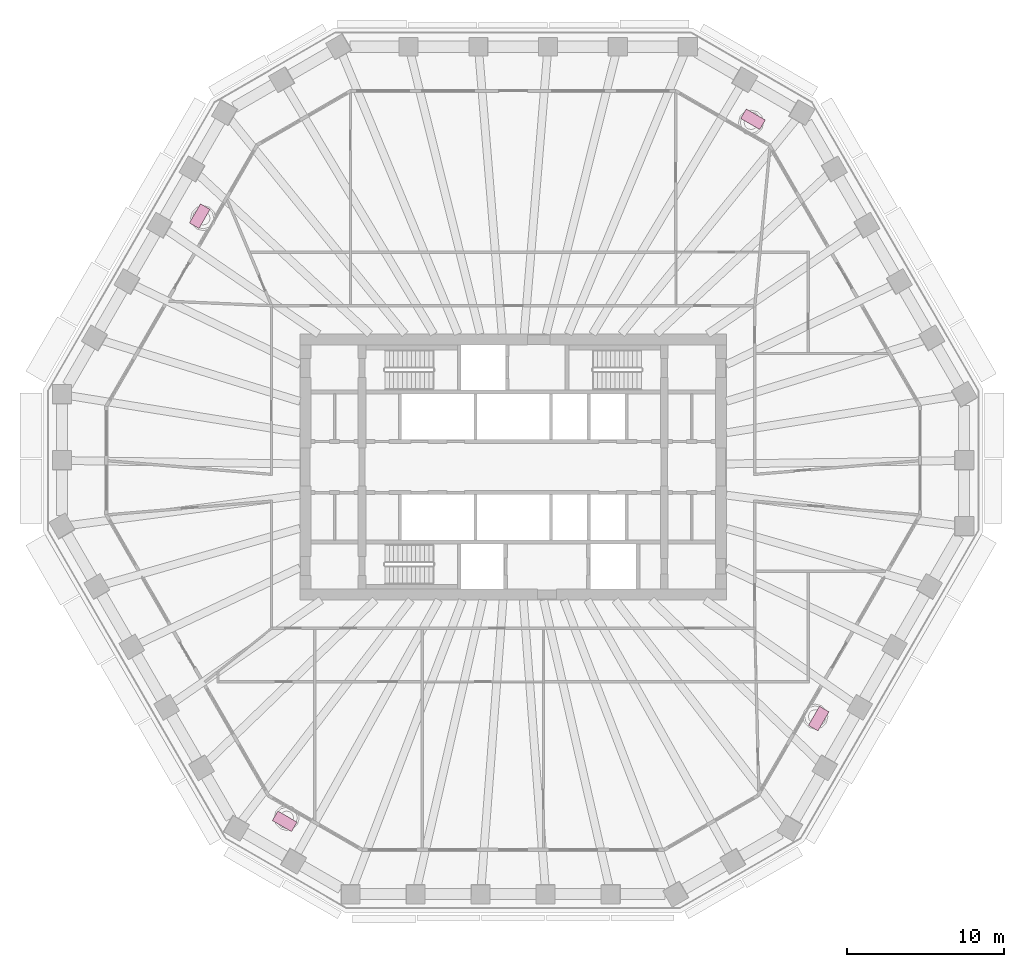
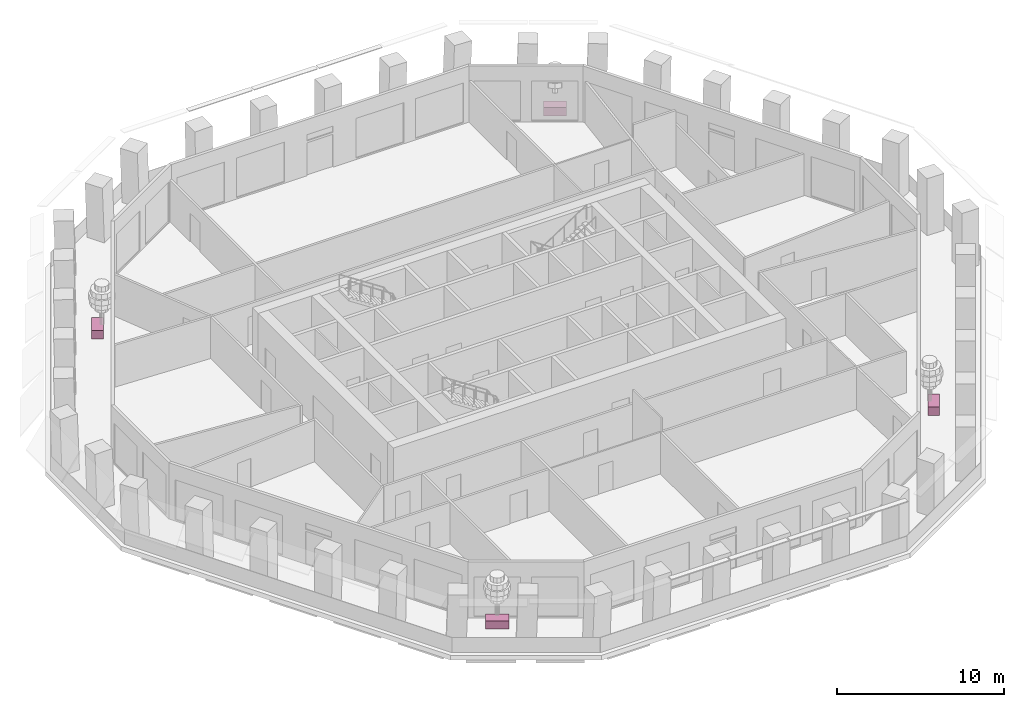
# One storey, part 11 of 12: 4 furniture elements.
"""IFC4 building model written with IfcOpenShell, lengths in metres."""

from ifc_helpers import new_model, si_unit, direction, frame, origin, origin_2d, place, context, subcontext, project, spatial, rectangle, extrude, material, type_object, element, save


model = new_model("IFC4")

# Units and contexts
model_context = context("Model", 3, precision=1e-05, world=origin(), true_north=direction((0.0, 1.0)))
body_context = subcontext(model_context, "Body", "Model", "MODEL_VIEW")
ifc_project = project(units=[si_unit("LENGTHUNIT", "METRE"), si_unit("AREAUNIT", "SQUARE_METRE"), si_unit("VOLUMEUNIT", "CUBIC_METRE"), si_unit("PLANEANGLEUNIT", "RADIAN"), si_unit("MASSUNIT", "GRAM", prefix="KILO")], contexts=[model_context])

# Site, building, storey
site_placement = place(None, origin())
site = spatial("IfcSite", under=ifc_project, at=site_placement, CompositionType="ELEMENT")
building_placement = place(site_placement, origin())
building = spatial("IfcBuilding", under=site, at=building_placement, Name="Frailejon Research Tower", CompositionType="ELEMENT")
storey_placement = place(building_placement, frame((0.0, 0.0, 158.39990234375)))
storey = spatial("IfcBuildingStorey", under=building, at=storey_placement, Name="L34", CompositionType="ELEMENT", Elevation=158.39990234375)

# Furniture
ifc_material = material(Name="Precast concrete C30/37 planter, terracotta", Category="masonry")
furniture_type = type_object("IfcFurnitureType", Name="Loggia planter 1400x700", AssemblyPlace="NOTDEFINED", PredefinedType="USERDEFINED", material=ifc_material)
for number, where, z_axis, x_axis, name in (
    (1, (15.2353515625, 22.0947265625, 0.0), (0.0, 0.0, 1.0), (-0.866025403784, 0.5, 0.0), "Planter L34"),
    (2, (-19.913330078125, 15.938720703125, 0.0), (0.0, 0.0, 1.0), (-0.5, -0.866025403784, 0.0), "Planter L34"),
    (3, (-14.516845703125, -22.509521484375, 0.0), (0.0, 0.0, 1.0), (0.866025403784, -0.5, 0.0), "Planter L34"),
    (4, (19.410400390625, -15.980224609375, 0.0), (0.0, 0.0, 1.0), (0.5, 0.866025403784, 0.0), "Planter L34"),
):
    element("IfcFurniture", number, at=place(storey_placement, frame(where, z_axis=z_axis, x_axis=x_axis)), inside=storey, type_object=furniture_type, Name=name, ObjectType="PLANTER", PredefinedType="USERDEFINED", context=body_context, shape_type="SweptSolid", body=[
        extrude(rectangle(XDim=1.39990234375, YDim=0.699951171875, at=origin_2d()), origin(), (0.0, 0.0, 1.0), 0.60009765625),
    ])

save(model, "model.ifc")
